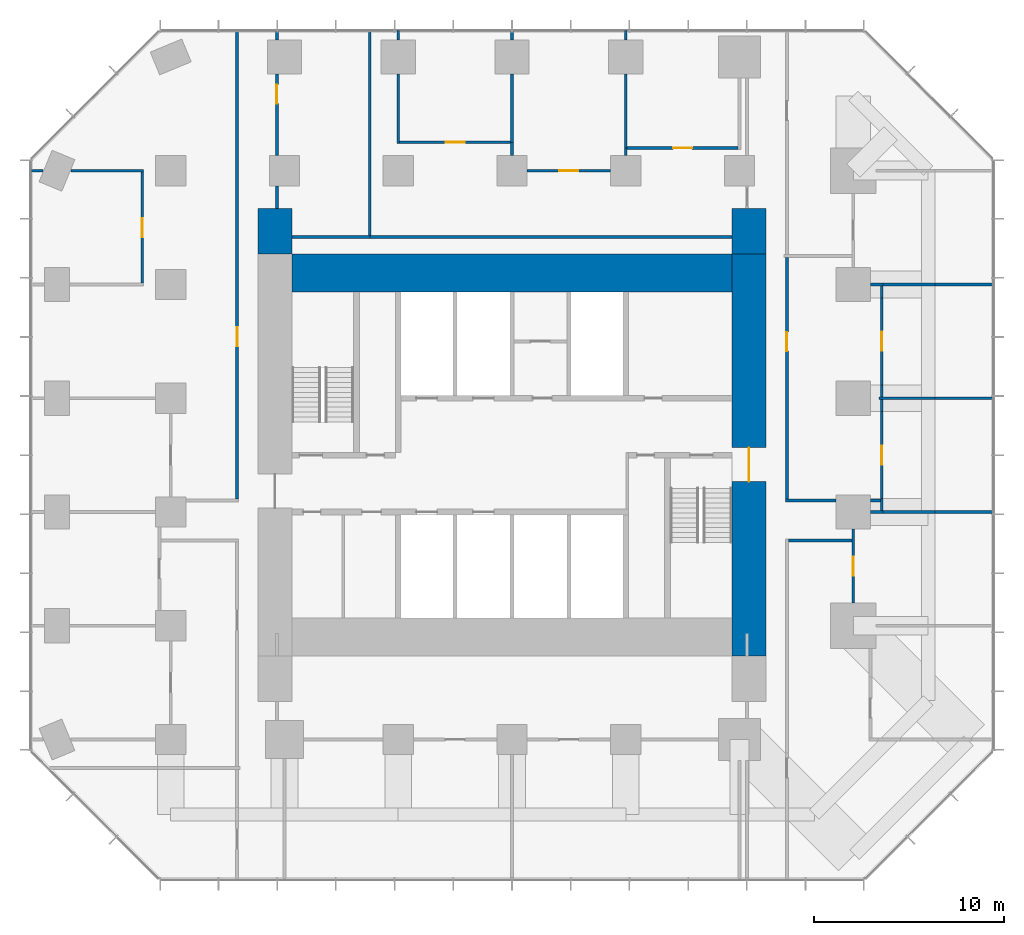
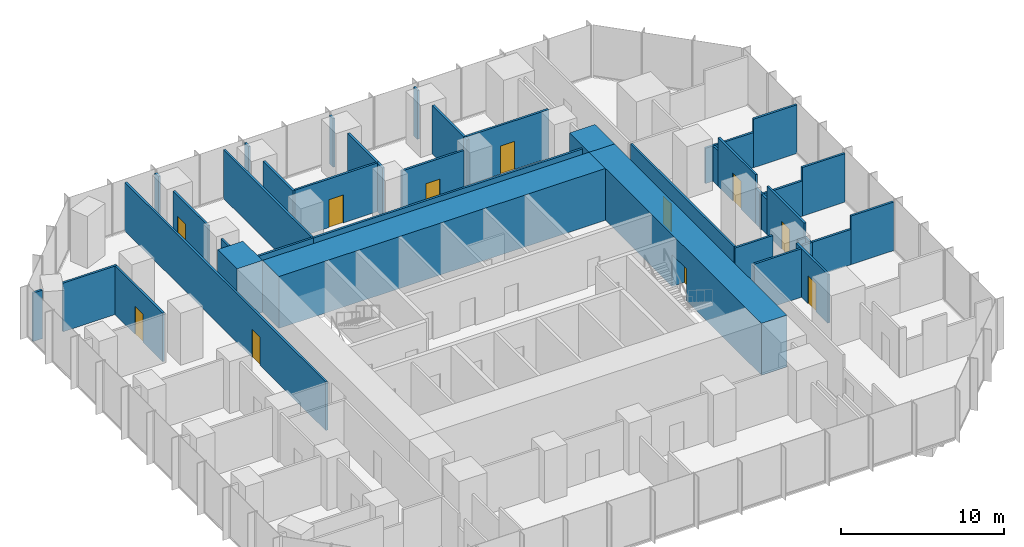
# One storey, part 10 of 12: 44 walls, 11 doors, 11 openings.
"""IFC4 building model written with IfcOpenShell, lengths in metres."""

import ifcopenshell
import ifcopenshell.guid

model = None  # the IFC model being written
_history = None  # IfcOwnerHistory: only IFC2X3 demands one
_inside = {}  # id of a spatial element -> (the spatial element, [elements in it])
_under = {}  # id of a project, library or spatial element -> (it, [spatial elements below it])
_declared = {}  # id of a project -> (the project, [libraries it declares])
_typed = {}  # id of a type object -> (the type object, [elements of that type])
_made_of = {}  # id of a material, layer set ... -> (it, [elements and type objects made of it])


def new_model(schema):
    """Start an empty IFC model of exactly this schema.

    Asked for "IFC4X3", IfcOpenShell would pick the latest addendum, in which some entities
    have other attributes; the version numbers below select the first issue.
    IFC2X3 requires an IfcOwnerHistory on every rooted entity: one is made here for all.
    """
    global model, _history
    if schema == "IFC4X3":
        model = ifcopenshell.file(schema_version=(4, 3, 0, 0))
    else:
        model = ifcopenshell.file(schema=schema)
    _inside.clear()
    _under.clear()
    _declared.clear()
    _typed.clear()
    _made_of.clear()
    _history = None
    if model.schema == "IFC2X3":
        org = make("IfcOrganization", Name="unknown")
        user = make(
            "IfcPersonAndOrganization",
            ThePerson=make("IfcPerson", FamilyName="unknown"),
            TheOrganization=org,
        )
        app = make(
            "IfcApplication",
            ApplicationDeveloper=org,
            Version="unknown",
            ApplicationFullName="unknown",
            ApplicationIdentifier="unknown",
        )
        _history = make(
            "IfcOwnerHistory",
            OwningUser=user,
            OwningApplication=app,
            ChangeAction="ADDED",
            CreationDate=0,
        )
    return model


def make(cls, **values):
    """One entity of the class cls with the attributes given. An attribute that is None is left unset."""
    return model.create_entity(
        cls, **{name: value for name, value in values.items() if value is not None}
    )


def rooted(cls, **values):
    """An entity with a GlobalId (a new one), such as an element, a storey or a relation."""
    return make(cls, GlobalId=ifcopenshell.guid.new(), OwnerHistory=_history, **values)


def si_unit(unit_type, name, prefix=None):
    """IfcSIUnit, for example si_unit("LENGTHUNIT", "METRE", prefix="MILLI")."""
    return make("IfcSIUnit", UnitType=unit_type, Prefix=prefix, Name=name)


def assignment(units):
    """IfcUnitAssignment: the units of a project."""
    return None if units is None else make("IfcUnitAssignment", Units=units)


def point(xyz):
    """IfcCartesianPoint."""
    return None if xyz is None else make("IfcCartesianPoint", Coordinates=xyz)


def direction(xyz):
    """IfcDirection."""
    return None if xyz is None else make("IfcDirection", DirectionRatios=xyz)


def frame(location, z_axis=None, x_axis=None):
    """IfcAxis2Placement3D, a coordinate frame: its origin and axes. An axis left out is left unset."""
    return make(
        "IfcAxis2Placement3D",
        Location=point(location),
        Axis=direction(z_axis),
        RefDirection=direction(x_axis),
    )


def frame_2d(location, x_axis=None):
    """IfcAxis2Placement2D, a coordinate frame in the plane: its origin and x axis."""
    return make(
        "IfcAxis2Placement2D", Location=point(location), RefDirection=direction(x_axis)
    )


def origin():
    """The frame at (0, 0, 0) with its axes left unset."""
    return frame((0.0, 0.0, 0.0))


def place(relative_to, where):
    """IfcLocalPlacement: puts the frame where relative to a parent placement (None: the world)."""
    return make(
        "IfcLocalPlacement", PlacementRelTo=relative_to, RelativePlacement=where
    )


def context(
    kind, dimensions, precision=None, world=None, true_north=None, identifier=None
):
    """IfcGeometricRepresentationContext, for example the 3D "Model" context."""
    return make(
        "IfcGeometricRepresentationContext",
        ContextIdentifier=identifier,
        ContextType=kind,
        CoordinateSpaceDimension=dimensions,
        Precision=precision,
        WorldCoordinateSystem=world,
        TrueNorth=true_north,
    )


def subcontext(parent, identifier, kind, view, scale=None):
    """IfcGeometricRepresentationSubContext, for example "Body" below "Model"."""
    return make(
        "IfcGeometricRepresentationSubContext",
        ContextIdentifier=identifier,
        ContextType=kind,
        ParentContext=parent,
        TargetScale=scale,
        TargetView=view,
    )


def project(units=None, contexts=None):
    """IfcProject with its units and contexts."""
    return rooted(
        "IfcProject",
        Name="project",
        RepresentationContexts=contexts,
        UnitsInContext=assignment(units),
    )


def spatial(cls, under=None, at=None, **own):
    """A site, building, storey or space (cls), placed at a placement, below another one or the project."""
    s = rooted(cls, ObjectPlacement=at, **own)
    if under is not None:
        _under.setdefault(under.id(), (under, []))[1].append(s)
    return s


def profile(cls, at=None, kind="AREA", **sizes):
    """A parametric profile (cls). Its sizes go by their IFC names, for example OverallWidth=200.0."""
    return make(cls, ProfileType=kind, Position=at, **sizes)


def rectangle(**sizes):
    """IfcRectangleProfileDef."""
    return profile("IfcRectangleProfileDef", **sizes)


def extrude(swept, where, along, depth):
    """IfcExtrudedAreaSolid: the profile swept, set in the frame where, extruded along a direction by depth."""
    return make(
        "IfcExtrudedAreaSolid",
        SweptArea=swept,
        Position=where,
        ExtrudedDirection=direction(along),
        Depth=depth,
    )


def shape(context_of_items, identifier, shape_type, items):
    """IfcShapeRepresentation: the items that make up one representation, for example the "Body"."""
    return make(
        "IfcShapeRepresentation",
        ContextOfItems=context_of_items,
        RepresentationIdentifier=identifier,
        RepresentationType=shape_type,
        Items=items,
    )


def material(Name=None, Category=None):
    """IfcMaterial."""
    return make("IfcMaterial", Name=Name, Category=Category)


def layer(
    of_material, thickness, ventilated=None, Name=None, Category=None, Priority=None
):
    """IfcMaterialLayer: one layer of a wall or slab, of a material (None: an air gap)."""
    return make(
        "IfcMaterialLayer",
        Material=of_material,
        LayerThickness=thickness,
        IsVentilated=ventilated,
        Name=Name,
        Category=Category,
        Priority=Priority,
    )


def layer_set(layers, Name=None):
    """IfcMaterialLayerSet."""
    return make("IfcMaterialLayerSet", MaterialLayers=layers, LayerSetName=Name)


def made_of(thing, what):
    """Note that an element or type object is made of a material, layer set ...; save() writes the relation."""
    if what is not None:
        _made_of.setdefault(what.id(), (what, []))[1].append(thing)
    return thing


def type_object(cls, material=None, **own):
    """A type object (cls), such as IfcWallType, which elements share."""
    return made_of(rooted(cls, **own), material)


def element(
    cls,
    number,
    at=None,
    inside=None,
    cuts=None,
    type_object=None,
    material=None,
    context=None,
    identifier="Body",
    shape_type=None,
    held_by="IfcProductDefinitionShape",
    body=None,
    shapes=None,
    **own,
):
    """One element of the class cls, such as IfcWall. Its Tag is "e" and its number.

    at: its placement. inside: the storey or other place that contains it. cuts: it is an
    opening in that element (IfcRelVoidsElement). A single representation is given by context,
    identifier, shape_type and body (its items); several are given by shapes. held_by: the class
    of the entity that holds the representations. save() writes the other relations.
    """
    e = rooted(cls, Tag="e%d" % number, ObjectPlacement=at, **own)
    if body is not None:
        shapes = [shape(context, identifier, shape_type, body)]
    if shapes is not None:
        e.Representation = make(held_by, Representations=shapes)
    if inside is not None:
        _inside.setdefault(inside.id(), (inside, []))[1].append(e)
    if cuts is not None:
        rooted(
            "IfcRelVoidsElement", RelatingBuildingElement=cuts, RelatedOpeningElement=e
        )
    if type_object is not None:
        _typed.setdefault(type_object.id(), (type_object, []))[1].append(e)
    return made_of(e, material)


def fill(opening, filler):
    """IfcRelFillsElement: the door or window that sits in an opening."""
    return rooted(
        "IfcRelFillsElement",
        RelatingOpeningElement=opening,
        RelatedBuildingElement=filler,
    )


def aggregate(whole, parts):
    """IfcRelAggregates: a whole, such as a stair, and the parts it consists of."""
    return rooted("IfcRelAggregates", RelatingObject=whole, RelatedObjects=parts)


def save(model, path):
    """Write the relations noted so far, then the file.

    IfcRelAggregates (storeys below a building ...), IfcRelContainedInSpatialStructure (elements
    in a storey), IfcRelDefinesByType, IfcRelAssociatesMaterial and IfcRelDeclares: one each for
    every whole, place, type object, material and project.
    """
    for whole, parts in _under.values():
        aggregate(whole, parts)
    for where, things in _inside.values():
        rooted(
            "IfcRelContainedInSpatialStructure",
            RelatedElements=things,
            RelatingStructure=where,
        )
    for kind, things in _typed.values():
        rooted("IfcRelDefinesByType", RelatedObjects=things, RelatingType=kind)
    for what, things in _made_of.values():
        rooted("IfcRelAssociatesMaterial", RelatedObjects=things, RelatingMaterial=what)
    for by, libraries in _declared.values():
        rooted("IfcRelDeclares", RelatingContext=by, RelatedDefinitions=libraries)
    model.write(path)


model = new_model("IFC4")

# Units and contexts
model_context = context("Model", 3, precision=1e-05, world=origin(), true_north=direction((0.0, 1.0)))
body_context = subcontext(model_context, "Body", "Model", "MODEL_VIEW")
ifc_project = project(units=[si_unit("LENGTHUNIT", "METRE"), si_unit("AREAUNIT", "SQUARE_METRE"), si_unit("VOLUMEUNIT", "CUBIC_METRE"), si_unit("PLANEANGLEUNIT", "RADIAN"), si_unit("MASSUNIT", "GRAM", prefix="KILO")], contexts=[model_context])

# Site, building, storey
site_placement = place(None, origin())
site = spatial("IfcSite", under=ifc_project, at=site_placement, CompositionType="ELEMENT")
building_placement = place(site_placement, origin())
building = spatial("IfcBuilding", under=site, at=building_placement, Name="Highveld Stack Headquarters", CompositionType="ELEMENT")
storey_placement = place(building_placement, frame((0.0, 0.0, 156.199951171875)))
storey = spatial("IfcBuildingStorey", under=building, at=storey_placement, Name="L38", CompositionType="ELEMENT", Elevation=156.199951171875)

# Wall, opening, door
ifc_material_1 = material(Name="Concrete C60/75", Category="concrete")
ifc_layer_1 = layer(ifc_material_1, 1.800048828125)
ifc_layer_set_1 = layer_set([ifc_layer_1], Name="Concrete C60/75")
wall_type_1 = type_object("IfcWallType", Name="CORE WALL 1800 C60/75", PredefinedType="SHEAR", material=ifc_layer_set_1)
wall_1_placement = place(storey_placement, frame((18.5, -7.60009765625, 0.0), z_axis=(0.0, 0.0, 1.0), x_axis=(0.0, 1.0, 0.0)))
wall_1 = element("IfcWall", 1, at=wall_1_placement, inside=storey, type_object=wall_type_1, Name="Core wall E L38", PredefinedType="SHEAR", context=body_context, shape_type="SweptSolid", body=[
    extrude(rectangle(XDim=21.2001953125, YDim=1.800048828125, at=frame_2d((10.60009765625, 0.0))), origin(), (0.0, 0.0, 1.0), 3.900146484375),
])
opening_1_placement = place(wall_1_placement, frame((9.199951171875, 0.0, 0.0)))
opening_1 = element("IfcOpeningElement", 2, at=opening_1_placement, cuts=wall_1, Name="Opening L38-02", PredefinedType="OPENING", context=body_context, shape_type="SweptSolid", body=[
    extrude(rectangle(XDim=1.800048828125, YDim=2.39990234375, at=frame_2d((0.89990234375, 1.199951171875))), frame((0.0, 0.909912109375, 0.0), z_axis=(0.0, -1.0, 0.0), x_axis=(1.0, 0.0, 0.0)), (0.0, 0.0, 1.0), 1.820068359375),
])
ifc_material_2 = material(Name="Steel fire door", Category="steel")
door_type_1 = type_object("IfcDoorType", Name="LOBBY FIRE DOOR D4 1800x2400", OperationType="DOUBLE_DOOR_SINGLE_SWING", PredefinedType="DOOR", material=ifc_material_2)
door_1_placement = place(opening_1_placement, origin())
door_1 = element("IfcDoor", 3, at=door_1_placement, inside=storey, type_object=door_type_1, Name="Core east door L38", OperationType="DOUBLE_DOOR_SINGLE_SWING", OverallHeight=2.39990234375, OverallWidth=1.800048828125, PredefinedType="DOOR", context=body_context, shape_type="SweptSolid", body=[
    extrude(rectangle(XDim=1.800048828125, YDim=2.39990234375, at=frame_2d((0.89990234375, 1.199951171875))), frame((0.0, 0.02490234375, 0.0), z_axis=(0.0, -1.0, 0.0), x_axis=(1.0, 0.0, 0.0)), (0.0, 0.0, 1.0), 0.050048828125),
])
fill(opening_1, door_1)

# Walls
ifc_material_3 = material(Name="Concrete C60/75", Category="concrete")
ifc_layer_2 = layer(ifc_material_3, 2.0)
ifc_layer_set_2 = layer_set([ifc_layer_2], Name="Concrete C60/75")
wall_type_2 = type_object("IfcWallType", Name="CORE WALL 2000 C60/75", PredefinedType="SHEAR", material=ifc_layer_set_2)
wall_2_placement = place(storey_placement, frame((-5.60009765625, 12.60009765625, 0.0), z_axis=(0.0, 0.0, 1.0), x_axis=(1.0, 0.0, 0.0)))
element("IfcWall", 4, at=wall_2_placement, inside=storey, type_object=wall_type_2, Name="Core wall N L38", PredefinedType="SHEAR", context=body_context, shape_type="SweptSolid", body=[
    extrude(rectangle(XDim=23.2001953125, YDim=2.0, at=frame_2d((11.60009765625, 0.0))), origin(), (0.0, 0.0, 1.0), 3.900146484375),
])
ifc_material_4 = material(Name="Concrete C60/75", Category="concrete")
ifc_layer_3 = layer(ifc_material_4, 1.800048828125)
ifc_layer_set_3 = layer_set([ifc_layer_3], Name="Concrete C60/75")
wall_type_3 = type_object("IfcWallType", Name="CORE WING WALL 1800 C60/75", PredefinedType="SHEAR", material=ifc_layer_set_3)
for number, where, z_axis, x_axis, name in (
    (5, (-6.5, 13.60009765625, 0.0), (0.0, 0.0, 1.0), (0.0, 1.0, 0.0), "Core wing wall WN L38"),
    (6, (18.5, 13.60009765625, 0.0), (0.0, 0.0, 1.0), (0.0, 1.0, 0.0), "Core wing wall EN L38"),
):
    element("IfcWall", number, at=place(storey_placement, frame(where, z_axis=z_axis, x_axis=x_axis)), inside=storey, type_object=wall_type_3, Name=name, PredefinedType="SHEAR", context=body_context, shape_type="SweptSolid", body=[
        extrude(rectangle(XDim=2.39990234375, YDim=1.800048828125, at=frame_2d((1.199951171875, 0.0))), origin(), (0.0, 0.0, 1.0), 3.900146484375),
    ])
ifc_material_5 = material(Name="Gypsum plasterboard on steel studs", Category="steel")
ifc_layer_4 = layer(ifc_material_5, 0.14990234375)
ifc_layer_set_4 = layer_set([ifc_layer_4], Name="Gypsum plasterboard on steel studs")
wall_type_4 = type_object("IfcWallType", Name="PARTITION 150 PLASTERBOARD", PredefinedType="PARTITIONING", material=ifc_layer_set_4)
wall_3_placement = place(storey_placement, frame((24.89990234375, 0.0, 0.0), z_axis=(0.0, 0.0, 1.0), x_axis=(1.0, 0.0, 0.0)))
element("IfcWall", 7, at=wall_3_placement, inside=storey, type_object=wall_type_4, Name="Partition Office L38", PredefinedType="PARTITIONING", context=body_context, shape_type="SweptSolid", body=[
    extrude(rectangle(XDim=0.675048828125, YDim=0.14990234375, at=frame_2d((0.33740234375, 0.0))), origin(), (0.0, 0.0, 1.0), 2.650146484375),
])
wall_4_placement = place(storey_placement, frame((25.5, 0.0, 0.0), z_axis=(0.0, 0.0, 1.0), x_axis=(1.0, 0.0, 0.0)))
element("IfcWall", 8, at=wall_4_placement, inside=storey, type_object=wall_type_4, Name="Partition Office / Quiet room L38", PredefinedType="PARTITIONING", context=body_context, shape_type="SweptSolid", body=[
    extrude(rectangle(XDim=2.81005859375, YDim=0.14990234375, at=frame_2d((1.405029296875, 0.0))), origin(), (0.0, 0.0, 1.0), 2.650146484375),
])
wall_5_placement = place(storey_placement, frame((28.31005859375, 0.0, 0.0), z_axis=(0.0, 0.0, 1.0), x_axis=(1.0, 0.0, 0.0)))
element("IfcWall", 9, at=wall_5_placement, inside=storey, type_object=wall_type_4, Name="Partition Office / Quiet room L38", PredefinedType="PARTITIONING", context=body_context, shape_type="SweptSolid", body=[
    extrude(rectangle(XDim=3.0400390625, YDim=0.14990234375, at=frame_2d((1.52001953125, 0.0))), origin(), (0.0, 0.0, 1.0), 3.650146484375),
])
wall_6_placement = place(storey_placement, frame((25.35009765625, 6.0, 0.0), z_axis=(0.0, 0.0, 1.0), x_axis=(1.0, 0.0, 0.0)))
element("IfcWall", 10, at=wall_6_placement, inside=storey, type_object=wall_type_4, Name="Partition Quiet room L38", PredefinedType="PARTITIONING", context=body_context, shape_type="SweptSolid", body=[
    extrude(rectangle(XDim=2.9599609375, YDim=0.14990234375, at=frame_2d((1.47998046875, 0.0))), origin(), (0.0, 0.0, 1.0), 2.650146484375),
])
wall_7_placement = place(storey_placement, frame((28.31005859375, 6.0, 0.0), z_axis=(0.0, 0.0, 1.0), x_axis=(1.0, 0.0, 0.0)))
element("IfcWall", 11, at=wall_7_placement, inside=storey, type_object=wall_type_4, Name="Partition Quiet room L38", PredefinedType="PARTITIONING", context=body_context, shape_type="SweptSolid", body=[
    extrude(rectangle(XDim=3.0400390625, YDim=0.14990234375, at=frame_2d((1.52001953125, 0.0))), origin(), (0.0, 0.0, 1.0), 3.650146484375),
])
wall_8_placement = place(storey_placement, frame((24.89990234375, 12.0, 0.0), z_axis=(0.0, 0.0, 1.0), x_axis=(1.0, 0.0, 0.0)))
element("IfcWall", 12, at=wall_8_placement, inside=storey, type_object=wall_type_4, Name="Partition Office L38", PredefinedType="PARTITIONING", context=body_context, shape_type="SweptSolid", body=[
    extrude(rectangle(XDim=0.675048828125, YDim=0.14990234375, at=frame_2d((0.33740234375, 0.0))), origin(), (0.0, 0.0, 1.0), 2.650146484375),
])
wall_9_placement = place(storey_placement, frame((25.5, 12.0, 0.0), z_axis=(0.0, 0.0, 1.0), x_axis=(1.0, 0.0, 0.0)))
element("IfcWall", 13, at=wall_9_placement, inside=storey, type_object=wall_type_4, Name="Partition Office / Quiet room L38", PredefinedType="PARTITIONING", context=body_context, shape_type="SweptSolid", body=[
    extrude(rectangle(XDim=2.81005859375, YDim=0.14990234375, at=frame_2d((1.405029296875, 0.0))), origin(), (0.0, 0.0, 1.0), 2.650146484375),
])
wall_10_placement = place(storey_placement, frame((28.31005859375, 12.0, 0.0), z_axis=(0.0, 0.0, 1.0), x_axis=(1.0, 0.0, 0.0)))
element("IfcWall", 14, at=wall_10_placement, inside=storey, type_object=wall_type_4, Name="Partition Office / Quiet room L38", PredefinedType="PARTITIONING", context=body_context, shape_type="SweptSolid", body=[
    extrude(rectangle(XDim=3.08984375, YDim=0.14990234375, at=frame_2d((1.544921875, 0.0))), origin(), (0.0, 0.0, 1.0), 3.650146484375),
])
wall_11_placement = place(storey_placement, frame((-19.39990234375, 18.0, 0.0), z_axis=(0.0, 0.0, 1.0), x_axis=(1.0, 0.0, 0.0)))
element("IfcWall", 15, at=wall_11_placement, inside=storey, type_object=wall_type_4, Name="Partition Quiet room L38", PredefinedType="PARTITIONING", context=body_context, shape_type="SweptSolid", body=[
    extrude(rectangle(XDim=0.665283203125, YDim=0.14990234375, at=frame_2d((0.33251953125, 0.0))), origin(), (0.0, 0.0, 1.0), 3.650146484375),
])
wall_12_placement = place(storey_placement, frame((-17.265380859375, 18.0, 0.0), z_axis=(0.0, 0.0, 1.0), x_axis=(1.0, 0.0, 0.0)))
element("IfcWall", 16, at=wall_12_placement, inside=storey, type_object=wall_type_4, Name="Partition Quiet room L38", PredefinedType="PARTITIONING", context=body_context, shape_type="SweptSolid", body=[
    extrude(rectangle(XDim=3.84033203125, YDim=0.14990234375, at=frame_2d((1.920166015625, 0.0))), origin(), (0.0, 0.0, 1.0), 3.650146484375),
])

# Wall, opening, door
wall_13_placement = place(storey_placement, frame((6.800048828125, 18.0, 0.0), z_axis=(0.0, 0.0, 1.0), x_axis=(1.0, 0.0, 0.0)))
wall_13 = element("IfcWall", 17, at=wall_13_placement, inside=storey, type_object=wall_type_4, Name="Partition Office L38", PredefinedType="PARTITIONING", context=body_context, shape_type="SweptSolid", body=[
    extrude(rectangle(XDim=4.39990234375, YDim=0.14990234375, at=frame_2d((2.199951171875, 0.0))), origin(), (0.0, 0.0, 1.0), 3.650146484375),
])
opening_2_placement = place(wall_13_placement, frame((1.699951171875, 0.0, 0.0)))
opening_2 = element("IfcOpeningElement", 18, at=opening_2_placement, cuts=wall_13, Name="Opening L38-24", PredefinedType="OPENING", context=body_context, shape_type="SweptSolid", body=[
    extrude(rectangle(XDim=1.0, YDim=2.10009765625, at=frame_2d((0.5, 1.050048828125))), frame((0.0, 0.0849609375, 0.0), z_axis=(0.0, -1.0, 0.0), x_axis=(1.0, 0.0, 0.0)), (0.0, 0.0, 1.0), 0.169921875),
])
ifc_material_6 = material(Name="Timber door, oiled ash", Category="wood")
door_type_2 = type_object("IfcDoorType", Name="ROOM DOOR D6 1000x2100", OperationType="SINGLE_SWING_LEFT", PredefinedType="DOOR", material=ifc_material_6)
door_2_placement = place(opening_2_placement, origin())
door_2 = element("IfcDoor", 19, at=door_2_placement, inside=storey, type_object=door_type_2, Name="Office door 1 L38", OperationType="SINGLE_SWING_RIGHT", OverallHeight=2.10009765625, OverallWidth=1.0, PredefinedType="DOOR", context=body_context, shape_type="SweptSolid", body=[
    extrude(rectangle(XDim=1.0, YDim=2.10009765625, at=frame_2d((0.5, 1.050048828125))), frame((0.0, 0.02490234375, 0.0), z_axis=(0.0, -1.0, 0.0), x_axis=(1.0, 0.0, 0.0)), (0.0, 0.0, 1.0), 0.050048828125),
])
fill(opening_2, door_2)

wall_14_placement = place(storey_placement, frame((12.074951171875, 19.199951171875, 0.0), z_axis=(0.0, 0.0, 1.0), x_axis=(1.0, 0.0, 0.0)))
wall_14 = element("IfcWall", 20, at=wall_14_placement, inside=storey, type_object=wall_type_4, Name="Partition Tea kitchen L38", PredefinedType="PARTITIONING", context=body_context, shape_type="SweptSolid", body=[
    extrude(rectangle(XDim=5.85009765625, YDim=0.14990234375, at=frame_2d((2.925048828125, 0.0))), origin(), (0.0, 0.0, 1.0), 3.650146484375),
])
opening_3_placement = place(wall_14_placement, frame((2.425048828125, 0.0, 0.0)))
opening_3 = element("IfcOpeningElement", 21, at=opening_3_placement, cuts=wall_14, Name="Opening L38-25", PredefinedType="OPENING", context=body_context, shape_type="SweptSolid", body=[
    extrude(rectangle(XDim=1.0, YDim=2.10009765625, at=frame_2d((0.5, 1.050048828125))), frame((0.0, 0.0849609375, 0.0), z_axis=(0.0, -1.0, 0.0), x_axis=(1.0, 0.0, 0.0)), (0.0, 0.0, 1.0), 0.169921875),
])
door_3_placement = place(opening_3_placement, origin())
door_3 = element("IfcDoor", 22, at=door_3_placement, inside=storey, type_object=door_type_2, Name="Tea kitchen door 1 L38", OperationType="SINGLE_SWING_LEFT", OverallHeight=2.10009765625, OverallWidth=1.0, PredefinedType="DOOR", context=body_context, shape_type="SweptSolid", body=[
    extrude(rectangle(XDim=1.0, YDim=2.10009765625, at=frame_2d((0.5, 1.050048828125))), frame((0.0, 0.02490234375, 0.0), z_axis=(0.0, -1.0, 0.0), x_axis=(1.0, 0.0, 0.0)), (0.0, 0.0, 1.0), 0.050048828125),
])
fill(opening_3, door_3)

wall_15_placement = place(storey_placement, frame((0.074951171875, 19.5, 0.0), z_axis=(0.0, 0.0, 1.0), x_axis=(1.0, 0.0, 0.0)))
wall_15 = element("IfcWall", 23, at=wall_15_placement, inside=storey, type_object=wall_type_4, Name="Partition Quiet room L38", PredefinedType="PARTITIONING", context=body_context, shape_type="SweptSolid", body=[
    extrude(rectangle(XDim=5.85009765625, YDim=0.14990234375, at=frame_2d((2.925048828125, 0.0))), origin(), (0.0, 0.0, 1.0), 3.650146484375),
])
opening_4_placement = place(wall_15_placement, frame((2.425048828125, 0.0, 0.0)))
opening_4 = element("IfcOpeningElement", 24, at=opening_4_placement, cuts=wall_15, Name="Opening L38-23", PredefinedType="OPENING", context=body_context, shape_type="SweptSolid", body=[
    extrude(rectangle(XDim=1.0, YDim=2.10009765625, at=frame_2d((0.5, 1.050048828125))), frame((0.0, 0.0849609375, 0.0), z_axis=(0.0, -1.0, 0.0), x_axis=(1.0, 0.0, 0.0)), (0.0, 0.0, 1.0), 0.169921875),
])
door_4_placement = place(opening_4_placement, origin())
door_4 = element("IfcDoor", 25, at=door_4_placement, inside=storey, type_object=door_type_2, Name="Quiet room door 1 L38", OperationType="SINGLE_SWING_RIGHT", OverallHeight=2.10009765625, OverallWidth=1.0, PredefinedType="DOOR", context=body_context, shape_type="SweptSolid", body=[
    extrude(rectangle(XDim=1.0, YDim=2.10009765625, at=frame_2d((0.5, 1.050048828125))), frame((0.0, 0.02490234375, 0.0), z_axis=(0.0, -1.0, 0.0), x_axis=(1.0, 0.0, 0.0)), (0.0, 0.0, 1.0), 0.050048828125),
])
fill(opening_4, door_4)

wall_16_placement = place(storey_placement, frame((-13.5, 12.074951171875, 0.0), z_axis=(0.0, 0.0, 1.0), x_axis=(0.0, 1.0, 0.0)))
wall_16 = element("IfcWall", 26, at=wall_16_placement, inside=storey, type_object=wall_type_4, Name="Partition Quiet room L38", PredefinedType="PARTITIONING", context=body_context, shape_type="SweptSolid", body=[
    extrude(rectangle(XDim=5.85009765625, YDim=0.14990234375, at=frame_2d((2.925048828125, 0.0))), origin(), (0.0, 0.0, 1.0), 3.650146484375),
])
opening_5_placement = place(wall_16_placement, frame((2.425048828125, 0.0, 0.0)))
opening_5 = element("IfcOpeningElement", 27, at=opening_5_placement, cuts=wall_16, Name="Opening L38-17", PredefinedType="OPENING", context=body_context, shape_type="SweptSolid", body=[
    extrude(rectangle(XDim=1.0, YDim=2.10009765625, at=frame_2d((0.5, 1.050048828125))), frame((0.0, 0.0849609375, 0.0), z_axis=(0.0, -1.0, 0.0), x_axis=(1.0, 0.0, 0.0)), (0.0, 0.0, 1.0), 0.169921875),
])
door_5_placement = place(opening_5_placement, origin())
door_5 = element("IfcDoor", 28, at=door_5_placement, inside=storey, type_object=door_type_2, Name="Quiet room door 1 L38", OperationType="SINGLE_SWING_RIGHT", OverallHeight=2.10009765625, OverallWidth=1.0, PredefinedType="DOOR", context=body_context, shape_type="SweptSolid", body=[
    extrude(rectangle(XDim=1.0, YDim=2.10009765625, at=frame_2d((0.5, 1.050048828125))), frame((0.0, 0.02490234375, 0.0), z_axis=(0.0, -1.0, 0.0), x_axis=(1.0, 0.0, 0.0)), (0.0, 0.0, 1.0), 0.050048828125),
])
fill(opening_5, door_5)

# Walls
wall_17_placement = place(storey_placement, frame((0.0, 19.425048828125, 0.0), z_axis=(0.0, 0.0, 1.0), x_axis=(0.0, 1.0, 0.0)))
element("IfcWall", 29, at=wall_17_placement, inside=storey, type_object=wall_type_4, Name="Partition Quiet room L38", PredefinedType="PARTITIONING", context=body_context, shape_type="SweptSolid", body=[
    extrude(rectangle(XDim=3.675048828125, YDim=0.14990234375, at=frame_2d((1.83740234375, 0.0))), origin(), (0.0, 0.0, 1.0), 3.650146484375),
])
wall_18_placement = place(storey_placement, frame((0.0, 24.89990234375, 0.0), z_axis=(0.0, 0.0, 1.0), x_axis=(0.0, 1.0, 0.0)))
element("IfcWall", 30, at=wall_18_placement, inside=storey, type_object=wall_type_4, Name="Partition Quiet room L38", PredefinedType="PARTITIONING", context=body_context, shape_type="SweptSolid", body=[
    extrude(rectangle(XDim=0.5, YDim=0.14990234375, at=frame_2d((0.25, 0.0))), origin(), (0.0, 0.0, 1.0), 3.650146484375),
])
wall_19_placement = place(storey_placement, frame((6.0, 18.800048828125, 0.0), z_axis=(0.0, 0.0, 1.0), x_axis=(0.0, 1.0, 0.0)))
element("IfcWall", 31, at=wall_19_placement, inside=storey, type_object=wall_type_4, Name="Partition Office L38", PredefinedType="PARTITIONING", context=body_context, shape_type="SweptSolid", body=[
    extrude(rectangle(XDim=0.699951171875, YDim=0.14990234375, at=frame_2d((0.35009765625, 0.0))), origin(), (0.0, 0.0, 1.0), 3.650146484375),
])
wall_20_placement = place(storey_placement, frame((6.0, 19.5, 0.0), z_axis=(0.0, 0.0, 1.0), x_axis=(0.0, 1.0, 0.0)))
element("IfcWall", 32, at=wall_20_placement, inside=storey, type_object=wall_type_4, Name="Partition Office / Quiet room L38", PredefinedType="PARTITIONING", context=body_context, shape_type="SweptSolid", body=[
    extrude(rectangle(XDim=3.60009765625, YDim=0.14990234375, at=frame_2d((1.800048828125, 0.0))), origin(), (0.0, 0.0, 1.0), 3.650146484375),
])
wall_21_placement = place(storey_placement, frame((6.0, 24.89990234375, 0.0), z_axis=(0.0, 0.0, 1.0), x_axis=(0.0, 1.0, 0.0)))
element("IfcWall", 33, at=wall_21_placement, inside=storey, type_object=wall_type_4, Name="Partition Office / Quiet room L38", PredefinedType="PARTITIONING", context=body_context, shape_type="SweptSolid", body=[
    extrude(rectangle(XDim=0.4501953125, YDim=0.14990234375, at=frame_2d((0.22509765625, 0.0))), origin(), (0.0, 0.0, 1.0), 3.650146484375),
])
wall_22_placement = place(storey_placement, frame((12.0, 18.800048828125, 0.0), z_axis=(0.0, 0.0, 1.0), x_axis=(0.0, 1.0, 0.0)))
element("IfcWall", 34, at=wall_22_placement, inside=storey, type_object=wall_type_4, Name="Partition Office L38", PredefinedType="PARTITIONING", context=body_context, shape_type="SweptSolid", body=[
    extrude(rectangle(XDim=0.39990234375, YDim=0.14990234375, at=frame_2d((0.199951171875, 0.0))), origin(), (0.0, 0.0, 1.0), 3.650146484375),
])
wall_23_placement = place(storey_placement, frame((12.0, 19.199951171875, 0.0), z_axis=(0.0, 0.0, 1.0), x_axis=(0.0, 1.0, 0.0)))
element("IfcWall", 35, at=wall_23_placement, inside=storey, type_object=wall_type_4, Name="Partition Office / Tea kitchen L38", PredefinedType="PARTITIONING", context=body_context, shape_type="SweptSolid", body=[
    extrude(rectangle(XDim=3.900146484375, YDim=0.14990234375, at=frame_2d((1.9501953125, 0.0))), origin(), (0.0, 0.0, 1.0), 3.650146484375),
])
wall_24_placement = place(storey_placement, frame((12.0, 24.89990234375, 0.0), z_axis=(0.0, 0.0, 1.0), x_axis=(0.0, 1.0, 0.0)))
element("IfcWall", 36, at=wall_24_placement, inside=storey, type_object=wall_type_4, Name="Partition Office / Tea kitchen L38", PredefinedType="PARTITIONING", context=body_context, shape_type="SweptSolid", body=[
    extrude(rectangle(XDim=0.5, YDim=0.14990234375, at=frame_2d((0.25, 0.0))), origin(), (0.0, 0.0, 1.0), 3.650146484375),
])

# Wall, opening, door
wall_25_placement = place(storey_placement, frame((24.0, -4.800048828125, 0.0), z_axis=(0.0, 0.0, 1.0), x_axis=(0.0, 1.0, 0.0)))
wall_25 = element("IfcWall", 37, at=wall_25_placement, inside=storey, type_object=wall_type_4, Name="Partition Office L38", PredefinedType="PARTITIONING", context=body_context, shape_type="SweptSolid", body=[
    extrude(rectangle(XDim=3.900146484375, YDim=0.14990234375, at=frame_2d((1.9501953125, 0.0))), origin(), (0.0, 0.0, 1.0), 3.650146484375),
])
opening_6_placement = place(wall_25_placement, frame((1.449951171875, 0.0, 0.0)))
opening_6 = element("IfcOpeningElement", 38, at=opening_6_placement, cuts=wall_25, Name="Opening L38-19", PredefinedType="OPENING", context=body_context, shape_type="SweptSolid", body=[
    extrude(rectangle(XDim=1.0, YDim=2.10009765625, at=frame_2d((0.5, 1.050048828125))), frame((0.0, 0.0849609375, 0.0), z_axis=(0.0, -1.0, 0.0), x_axis=(1.0, 0.0, 0.0)), (0.0, 0.0, 1.0), 0.169921875),
])
door_6_placement = place(opening_6_placement, origin())
door_6 = element("IfcDoor", 39, at=door_6_placement, inside=storey, type_object=door_type_2, Name="Office door 1 L38", OperationType="SINGLE_SWING_LEFT", OverallHeight=2.10009765625, OverallWidth=1.0, PredefinedType="DOOR", context=body_context, shape_type="SweptSolid", body=[
    extrude(rectangle(XDim=1.0, YDim=2.10009765625, at=frame_2d((0.5, 1.050048828125))), frame((0.0, 0.02490234375, 0.0), z_axis=(0.0, -1.0, 0.0), x_axis=(1.0, 0.0, 0.0)), (0.0, 0.0, 1.0), 0.050048828125),
])
fill(opening_6, door_6)

# Wall
wall_26_placement = place(storey_placement, frame((25.5, 0.074951171875, 0.0), z_axis=(0.0, 0.0, 1.0), x_axis=(0.0, 1.0, 0.0)))
element("IfcWall", 40, at=wall_26_placement, inside=storey, type_object=wall_type_4, Name="Partition Quiet room L38", PredefinedType="PARTITIONING", context=body_context, shape_type="SweptSolid", body=[
    extrude(rectangle(XDim=0.635009765625, YDim=0.14990234375, at=frame_2d((0.3173828125, 0.0))), origin(), (0.0, 0.0, 1.0), 2.650146484375),
])

# Wall, opening, door
wall_27_placement = place(storey_placement, frame((25.5, 0.7099609375, 0.0), z_axis=(0.0, 0.0, 1.0), x_axis=(0.0, 1.0, 0.0)))
wall_27 = element("IfcWall", 41, at=wall_27_placement, inside=storey, type_object=wall_type_4, Name="Partition Quiet room L38", PredefinedType="PARTITIONING", context=body_context, shape_type="SweptSolid", body=[
    extrude(rectangle(XDim=4.580078125, YDim=0.14990234375, at=frame_2d((2.2900390625, 0.0))), origin(), (0.0, 0.0, 1.0), 3.650146484375),
])
opening_7_placement = place(wall_27_placement, frame((1.7900390625, 0.0, 0.0)))
opening_7 = element("IfcOpeningElement", 42, at=opening_7_placement, cuts=wall_27, Name="Opening L38-20", PredefinedType="OPENING", context=body_context, shape_type="SweptSolid", body=[
    extrude(rectangle(XDim=1.0, YDim=2.10009765625, at=frame_2d((0.5, 1.050048828125))), frame((0.0, 0.0849609375, 0.0), z_axis=(0.0, -1.0, 0.0), x_axis=(1.0, 0.0, 0.0)), (0.0, 0.0, 1.0), 0.169921875),
])
door_7_placement = place(opening_7_placement, origin())
door_7 = element("IfcDoor", 43, at=door_7_placement, inside=storey, type_object=door_type_2, Name="Quiet room door 1 L38", OperationType="SINGLE_SWING_RIGHT", OverallHeight=2.10009765625, OverallWidth=1.0, PredefinedType="DOOR", context=body_context, shape_type="SweptSolid", body=[
    extrude(rectangle(XDim=1.0, YDim=2.10009765625, at=frame_2d((0.5, 1.050048828125))), frame((0.0, 0.02490234375, 0.0), z_axis=(0.0, -1.0, 0.0), x_axis=(1.0, 0.0, 0.0)), (0.0, 0.0, 1.0), 0.050048828125),
])
fill(opening_7, door_7)

# Walls
for number, where, z_axis, x_axis, name in (
    (44, (25.5, 5.2900390625, 0.0), (0.0, 0.0, 1.0), (0.0, 1.0, 0.0), "Partition Quiet room L38"),
    (45, (25.5, 6.074951171875, 0.0), (0.0, 0.0, 1.0), (0.0, 1.0, 0.0), "Partition Quiet room L38"),
):
    element("IfcWall", number, at=place(storey_placement, frame(where, z_axis=z_axis, x_axis=x_axis)), inside=storey, type_object=wall_type_4, Name=name, PredefinedType="PARTITIONING", context=body_context, shape_type="SweptSolid", body=[
        extrude(rectangle(XDim=0.635009765625, YDim=0.14990234375, at=frame_2d((0.3173828125, 0.0))), origin(), (0.0, 0.0, 1.0), 2.650146484375),
    ])

# Wall, opening, door
wall_28_placement = place(storey_placement, frame((25.5, 6.7099609375, 0.0), z_axis=(0.0, 0.0, 1.0), x_axis=(0.0, 1.0, 0.0)))
wall_28 = element("IfcWall", 46, at=wall_28_placement, inside=storey, type_object=wall_type_4, Name="Partition Quiet room L38", PredefinedType="PARTITIONING", context=body_context, shape_type="SweptSolid", body=[
    extrude(rectangle(XDim=4.580078125, YDim=0.14990234375, at=frame_2d((2.2900390625, 0.0))), origin(), (0.0, 0.0, 1.0), 3.650146484375),
])
opening_8_placement = place(wall_28_placement, frame((1.7900390625, 0.0, 0.0)))
opening_8 = element("IfcOpeningElement", 47, at=opening_8_placement, cuts=wall_28, Name="Opening L38-21", PredefinedType="OPENING", context=body_context, shape_type="SweptSolid", body=[
    extrude(rectangle(XDim=1.0, YDim=2.10009765625, at=frame_2d((0.5, 1.050048828125))), frame((0.0, 0.0849609375, 0.0), z_axis=(0.0, -1.0, 0.0), x_axis=(1.0, 0.0, 0.0)), (0.0, 0.0, 1.0), 0.169921875),
])
door_8_placement = place(opening_8_placement, origin())
door_8 = element("IfcDoor", 48, at=door_8_placement, inside=storey, type_object=door_type_2, Name="Quiet room door 1 L38", OperationType="SINGLE_SWING_RIGHT", OverallHeight=2.10009765625, OverallWidth=1.0, PredefinedType="DOOR", context=body_context, shape_type="SweptSolid", body=[
    extrude(rectangle(XDim=1.0, YDim=2.10009765625, at=frame_2d((0.5, 1.050048828125))), frame((0.0, 0.02490234375, 0.0), z_axis=(0.0, -1.0, 0.0), x_axis=(1.0, 0.0, 0.0)), (0.0, 0.0, 1.0), 0.050048828125),
])
fill(opening_8, door_8)

# Wall
wall_29_placement = place(storey_placement, frame((25.5, 11.2900390625, 0.0), z_axis=(0.0, 0.0, 1.0), x_axis=(0.0, 1.0, 0.0)))
element("IfcWall", 49, at=wall_29_placement, inside=storey, type_object=wall_type_4, Name="Partition Quiet room L38", PredefinedType="PARTITIONING", context=body_context, shape_type="SweptSolid", body=[
    extrude(rectangle(XDim=0.635009765625, YDim=0.14990234375, at=frame_2d((0.3173828125, 0.0))), origin(), (0.0, 0.0, 1.0), 2.650146484375),
])

# Wall, opening, door
wall_30_placement = place(storey_placement, frame((-8.5, 0.675048828125, 0.0), z_axis=(0.0, 0.0, 1.0), x_axis=(0.0, 1.0, 0.0)))
wall_30 = element("IfcWall", 50, at=wall_30_placement, inside=storey, type_object=wall_type_4, Name="Partition office neighbourhood L38", PredefinedType="PARTITIONING", context=body_context, shape_type="SweptSolid", body=[
    extrude(rectangle(XDim=24.724853515625, YDim=0.14990234375, at=frame_2d((12.3623046875, 0.0))), origin(), (0.0, 0.0, 1.0), 3.650146484375),
])
opening_9_placement = place(wall_30_placement, frame((8.070068359375, 0.0, 0.0)))
opening_9 = element("IfcOpeningElement", 51, at=opening_9_placement, cuts=wall_30, Name="Opening L38-30", PredefinedType="OPENING", context=body_context, shape_type="SweptSolid", body=[
    extrude(rectangle(XDim=1.0, YDim=2.10009765625, at=frame_2d((0.5, 1.050048828125))), frame((0.0, 0.0849609375, 0.0), z_axis=(0.0, -1.0, 0.0), x_axis=(1.0, 0.0, 0.0)), (0.0, 0.0, 1.0), 0.169921875),
])
door_9_placement = place(opening_9_placement, origin())
door_9 = element("IfcDoor", 52, at=door_9_placement, inside=storey, type_object=door_type_2, Name="Office neighbourhood door L38", OperationType="SINGLE_SWING_LEFT", OverallHeight=2.10009765625, OverallWidth=1.0, PredefinedType="DOOR", context=body_context, shape_type="SweptSolid", body=[
    extrude(rectangle(XDim=1.0, YDim=2.10009765625, at=frame_2d((0.5, 1.050048828125))), frame((0.0, 0.02490234375, 0.0), z_axis=(0.0, -1.0, 0.0), x_axis=(1.0, 0.0, 0.0)), (0.0, 0.0, 1.0), 0.050048828125),
])
fill(opening_9, door_9)

# Wall
wall_31_placement = place(storey_placement, frame((-6.39990234375, 16.0, 0.0), z_axis=(0.0, 0.0, 1.0), x_axis=(0.0, 1.0, 0.0)))
element("IfcWall", 53, at=wall_31_placement, inside=storey, type_object=wall_type_4, Name="Partition office neighbourhood L38", PredefinedType="PARTITIONING", context=body_context, shape_type="SweptSolid", body=[
    extrude(rectangle(XDim=1.199951171875, YDim=0.14990234375, at=frame_2d((0.60009765625, 0.0))), origin(), (0.0, 0.0, 1.0), 3.650146484375),
])

# Wall, opening, door
wall_32_placement = place(storey_placement, frame((-6.39990234375, 18.800048828125, 0.0), z_axis=(0.0, 0.0, 1.0), x_axis=(0.0, 1.0, 0.0)))
wall_32 = element("IfcWall", 54, at=wall_32_placement, inside=storey, type_object=wall_type_4, Name="Partition office neighbourhood L38", PredefinedType="PARTITIONING", context=body_context, shape_type="SweptSolid", body=[
    extrude(rectangle(XDim=4.300048828125, YDim=0.14990234375, at=frame_2d((2.14990234375, 0.0))), origin(), (0.0, 0.0, 1.0), 3.650146484375),
])
opening_10_placement = place(wall_32_placement, frame((2.7451171875, 0.0, 0.0)))
opening_10 = element("IfcOpeningElement", 55, at=opening_10_placement, cuts=wall_32, Name="Opening L38-32", PredefinedType="OPENING", context=body_context, shape_type="SweptSolid", body=[
    extrude(rectangle(XDim=1.0, YDim=2.10009765625, at=frame_2d((0.5, 1.050048828125))), frame((0.0, 0.0849609375, 0.0), z_axis=(0.0, -1.0, 0.0), x_axis=(1.0, 0.0, 0.0)), (0.0, 0.0, 1.0), 0.169921875),
])
door_10_placement = place(opening_10_placement, origin())
door_10 = element("IfcDoor", 56, at=door_10_placement, inside=storey, type_object=door_type_2, Name="Office neighbourhood door L38", OperationType="SINGLE_SWING_RIGHT", OverallHeight=2.10009765625, OverallWidth=1.0, PredefinedType="DOOR", context=body_context, shape_type="SweptSolid", body=[
    extrude(rectangle(XDim=1.0, YDim=2.10009765625, at=frame_2d((0.5, 1.050048828125))), frame((0.0, 0.02490234375, 0.0), z_axis=(0.0, -1.0, 0.0), x_axis=(1.0, 0.0, 0.0)), (0.0, 0.0, 1.0), 0.050048828125),
])
fill(opening_10, door_10)

# Walls
wall_33_placement = place(storey_placement, frame((-6.39990234375, 24.89990234375, 0.0), z_axis=(0.0, 0.0, 1.0), x_axis=(0.0, 1.0, 0.0)))
element("IfcWall", 57, at=wall_33_placement, inside=storey, type_object=wall_type_4, Name="Partition office neighbourhood L38", PredefinedType="PARTITIONING", context=body_context, shape_type="SweptSolid", body=[
    extrude(rectangle(XDim=0.4501953125, YDim=0.14990234375, at=frame_2d((0.22509765625, 0.0))), origin(), (0.0, 0.0, 1.0), 3.650146484375),
])
wall_34_placement = place(storey_placement, frame((-5.60009765625, 14.5, 0.0), z_axis=(0.0, 0.0, 1.0), x_axis=(1.0, 0.0, 0.0)))
element("IfcWall", 58, at=wall_34_placement, inside=storey, type_object=wall_type_4, Name="Partition office neighbourhood L38", PredefinedType="PARTITIONING", context=body_context, shape_type="SweptSolid", body=[
    extrude(rectangle(XDim=4.10009765625, YDim=0.14990234375, at=frame_2d((2.050048828125, 0.0))), origin(), (0.0, 0.0, 1.0), 3.650146484375),
])
wall_35_placement = place(storey_placement, frame((-1.5, 14.574951171875, 0.0), z_axis=(0.0, 0.0, 1.0), x_axis=(0.0, 1.0, 0.0)))
element("IfcWall", 59, at=wall_35_placement, inside=storey, type_object=wall_type_4, Name="Partition office neighbourhood L38", PredefinedType="PARTITIONING", context=body_context, shape_type="SweptSolid", body=[
    extrude(rectangle(XDim=10.824951171875, YDim=0.14990234375, at=frame_2d((5.41259765625, 0.0))), origin(), (0.0, 0.0, 1.0), 3.650146484375),
])
wall_36_placement = place(storey_placement, frame((-1.5, 14.5, 0.0), z_axis=(0.0, 0.0, 1.0), x_axis=(1.0, 0.0, 0.0)))
element("IfcWall", 60, at=wall_36_placement, inside=storey, type_object=wall_type_4, Name="Partition office neighbourhood L38", PredefinedType="PARTITIONING", context=body_context, shape_type="SweptSolid", body=[
    extrude(rectangle(XDim=19.10009765625, YDim=0.14990234375, at=frame_2d((9.550048828125, 0.0))), origin(), (0.0, 0.0, 1.0), 3.650146484375),
])
wall_37_placement = place(storey_placement, frame((20.574951171875, -1.5, 0.0), z_axis=(0.0, 0.0, 1.0), x_axis=(1.0, 0.0, 0.0)))
element("IfcWall", 61, at=wall_37_placement, inside=storey, type_object=wall_type_4, Name="Partition office neighbourhood L38", PredefinedType="PARTITIONING", context=body_context, shape_type="SweptSolid", body=[
    extrude(rectangle(XDim=3.35009765625, YDim=0.14990234375, at=frame_2d((1.675048828125, 0.0))), origin(), (0.0, 0.0, 1.0), 3.650146484375),
])

# Wall, opening, door
wall_38_placement = place(storey_placement, frame((20.5, 0.675048828125, 0.0), z_axis=(0.0, 0.0, 1.0), x_axis=(0.0, 1.0, 0.0)))
wall_38 = element("IfcWall", 62, at=wall_38_placement, inside=storey, type_object=wall_type_4, Name="Partition office neighbourhood L38", PredefinedType="PARTITIONING", context=body_context, shape_type="SweptSolid", body=[
    extrude(rectangle(XDim=12.75, YDim=0.14990234375, at=frame_2d((6.375, 0.0))), origin(), (0.0, 0.0, 1.0), 3.650146484375),
])
opening_11_placement = place(wall_38_placement, frame((7.81005859375, 0.0, 0.0)))
opening_11 = element("IfcOpeningElement", 63, at=opening_11_placement, cuts=wall_38, Name="Opening L38-29", PredefinedType="OPENING", context=body_context, shape_type="SweptSolid", body=[
    extrude(rectangle(XDim=1.0, YDim=2.10009765625, at=frame_2d((0.5, 1.050048828125))), frame((0.0, 0.0849609375, 0.0), z_axis=(0.0, -1.0, 0.0), x_axis=(1.0, 0.0, 0.0)), (0.0, 0.0, 1.0), 0.169921875),
])
door_11_placement = place(opening_11_placement, origin())
door_11 = element("IfcDoor", 64, at=door_11_placement, inside=storey, type_object=door_type_2, Name="Office neighbourhood door L38", OperationType="SINGLE_SWING_RIGHT", OverallHeight=2.10009765625, OverallWidth=1.0, PredefinedType="DOOR", context=body_context, shape_type="SweptSolid", body=[
    extrude(rectangle(XDim=1.0, YDim=2.10009765625, at=frame_2d((0.5, 1.050048828125))), frame((0.0, 0.02490234375, 0.0), z_axis=(0.0, -1.0, 0.0), x_axis=(1.0, 0.0, 0.0)), (0.0, 0.0, 1.0), 0.050048828125),
])
fill(opening_11, door_11)

# Walls
wall_39_placement = place(storey_placement, frame((20.425048828125, 0.60009765625, 0.0), z_axis=(0.0, 0.0, 1.0), x_axis=(1.0, 0.0, 0.0)))
element("IfcWall", 65, at=wall_39_placement, inside=storey, type_object=wall_type_4, Name="Partition office neighbourhood L38", PredefinedType="PARTITIONING", context=body_context, shape_type="SweptSolid", body=[
    extrude(rectangle(XDim=2.675048828125, YDim=0.14990234375, at=frame_2d((1.33740234375, 0.0))), origin(), (0.0, 0.0, 1.0), 3.650146484375),
])
wall_40_placement = place(storey_placement, frame((24.89990234375, 0.60009765625, 0.0), z_axis=(0.0, 0.0, 1.0), x_axis=(1.0, 0.0, 0.0)))
element("IfcWall", 66, at=wall_40_placement, inside=storey, type_object=wall_type_4, Name="Partition office neighbourhood L38", PredefinedType="PARTITIONING", context=body_context, shape_type="SweptSolid", body=[
    extrude(rectangle(XDim=0.525146484375, YDim=0.14990234375, at=frame_2d((0.2626953125, 0.0))), origin(), (0.0, 0.0, 1.0), 2.650146484375),
])

save(model, "model.ifc")
